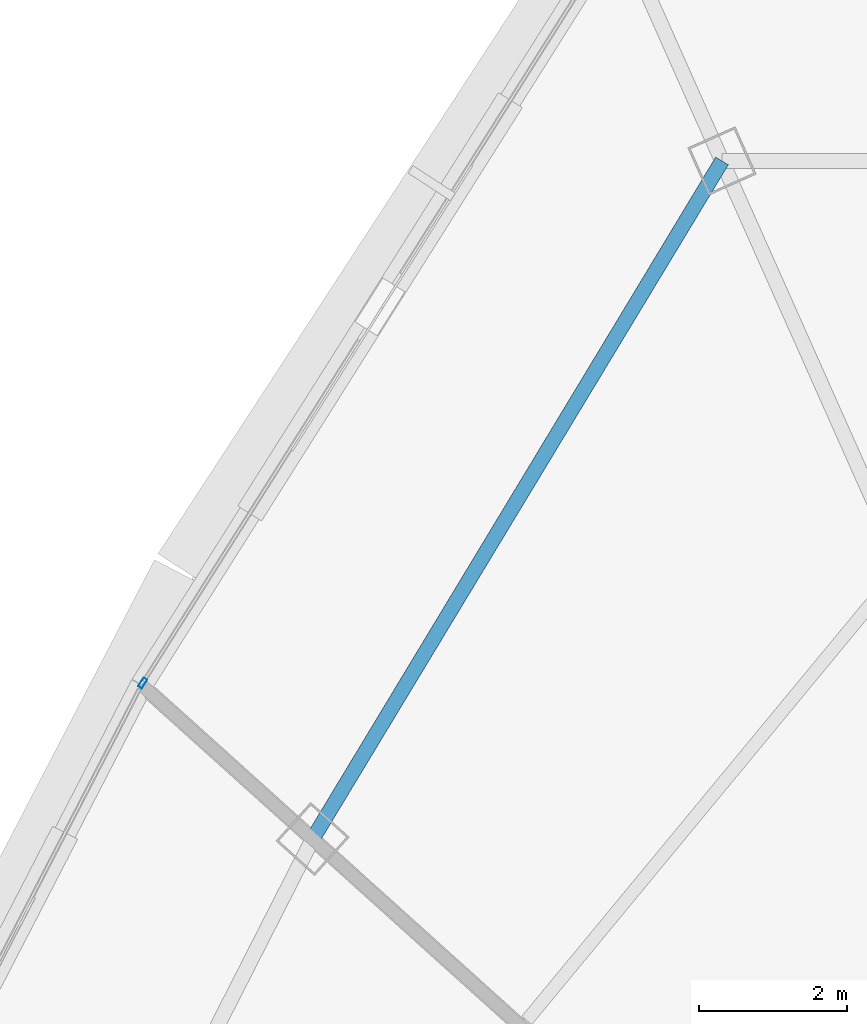
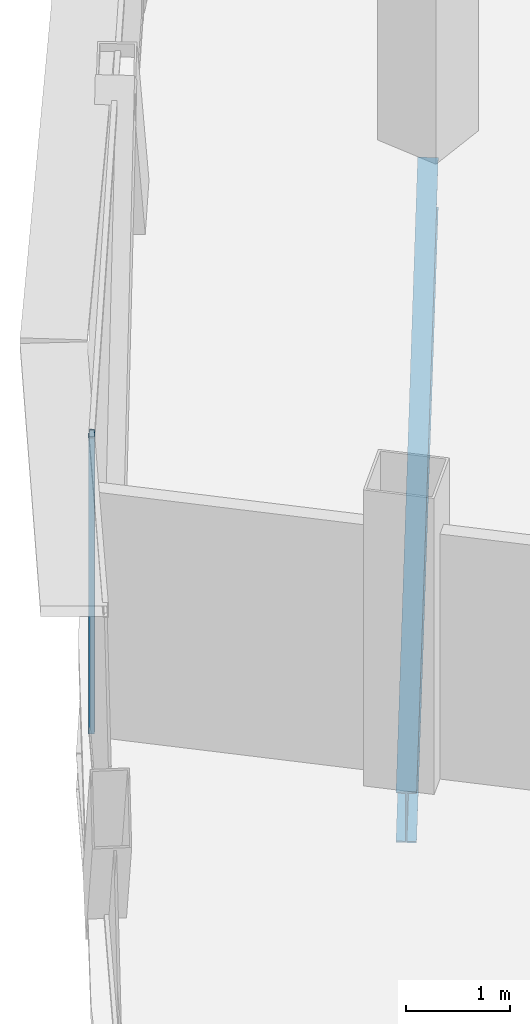
# One storey, part 9 of 26: 1 beam, 1 member, 1 element without a shape of its own.
"""IFC4 building model written with IfcOpenShell, lengths in metres."""

from ifc_helpers import new_model, si_unit, direction, frame, origin, origin_2d, place, context, subcontext, project, spatial, hollow_rectangle, i_section, extrude, source, transform, mapped, material, layer, layer_set, material_profile, profile_set, type_object, element, aggregate, save


model = new_model("IFC4")

# Units and contexts
model_context = context("Model", 3, precision=1e-05, world=origin(), true_north=direction((0.0, 1.0)))
body_context = subcontext(model_context, "Body", "Model", "MODEL_VIEW")
ifc_project = project(units=[si_unit("LENGTHUNIT", "METRE"), si_unit("AREAUNIT", "SQUARE_METRE"), si_unit("VOLUMEUNIT", "CUBIC_METRE"), si_unit("PLANEANGLEUNIT", "RADIAN"), si_unit("MASSUNIT", "GRAM", prefix="KILO"), si_unit("THERMODYNAMICTEMPERATUREUNIT", "KELVIN"), si_unit("POWERUNIT", "WATT")], contexts=[model_context])

# Site, building, storey
site_placement = place(None, origin())
site = spatial("IfcSite", under=ifc_project, at=site_placement, CompositionType="ELEMENT")
building_placement = place(site_placement, origin())
building = spatial("IfcBuilding", under=site, at=building_placement, Name="Yunzhuo Pagoda Commons", CompositionType="ELEMENT")
storey_placement = place(building_placement, frame((0.0, 0.0, 340.510009765625)))
storey = spatial("IfcBuildingStorey", under=building, at=storey_placement, Name="L85", CompositionType="ELEMENT", Elevation=340.510009765625)

# Beam
ifc_material_1 = material(Name="Structural steel Q355B", Category="steel")
ifc_material_profile_1 = material_profile(ifc_material_1, i_section(OverallWidth=0.199951171875, OverallDepth=0.60009765625, WebThickness=0.010986328125, FlangeThickness=0.01708984375, at=origin_2d()), Name="Structural steel Q355B")
ifc_profile_set_1 = profile_set([ifc_material_profile_1], Name="Structural steel Q355B")
beam_type = type_object("IfcBeamType", Name="B-RG3 Beam HN 600x200x11x17", PredefinedType="BEAM", material=ifc_profile_set_1)
shared_shape_1 = source(origin(), body_context, "Body", "SweptSolid", [
    extrude(i_section(OverallWidth=0.199951171875, OverallDepth=0.60009765625, WebThickness=0.010986328125, FlangeThickness=0.01708984375, at=origin_2d()), origin(), (0.0, 0.0, 1.0), 10.691162109375),
])
beam_placement = place(storey_placement, frame((37.501220703125, 57.281005859375, -0.56005859375), z_axis=(-0.516864678433, -0.856067114301, 0.0), x_axis=(0.856067114301, -0.516864678433, 0.0)))
element("IfcBeam", 1, at=beam_placement, inside=storey, type_object=beam_type, Name="L85 column-ring beam 9", PredefinedType="BEAM", context=body_context, shape_type="MappedRepresentation", body=[
    mapped(shared_shape_1, transform((0.0, 0.0, 0.0), scale=1.0)),
])

# Curtain wall, member
ifc_material_2 = material(Name="Anodized aluminium 6063-T6", Category="aluminium")
ifc_layer = layer(ifc_material_2, 0.139892578125)
ifc_layer_set = layer_set([ifc_layer], Name="Anodized aluminium 6063-T6")
curtain_wall_type = type_object("IfcCurtainWallType", Name="CW-HI High-Zone Ribbon Curtain Wall", PredefinedType="NOTDEFINED", material=ifc_layer_set)
curtain_wall_placement = place(storey_placement, origin())
curtain_wall = element("IfcCurtainWall", 2, at=curtain_wall_placement, inside=storey, type_object=curtain_wall_type, Name="L85 curtain wall CW-L85-F3B2", PredefinedType="NOTDEFINED")
ifc_material_profile_2 = material_profile(ifc_material_2, hollow_rectangle(XDim=0.06005859375, YDim=0.139892578125, WallThickness=0.00341796875, at=origin_2d()), Name="Anodized aluminium 6063-T6")
ifc_profile_set_2 = profile_set([ifc_material_profile_2], Name="Anodized aluminium 6063-T6")
member_type = type_object("IfcMemberType", Name="CW-HI-M Mullion RHS 140x60x3.5", PredefinedType="MULLION", material=ifc_profile_set_2)
shared_shape_2 = source(origin(), body_context, "Body", "SweptSolid", [
    extrude(hollow_rectangle(XDim=0.06005859375, YDim=0.139892578125, WallThickness=0.00341796875, at=origin_2d()), origin(), (0.0, 0.0, 1.0), 3.489990234375),
])
member_placement = place(storey_placement, frame((29.681884765625, 50.2333984375, 0.0), z_axis=(0.0, 0.0, 1.0), x_axis=(0.845817518552, -0.533472328532, 0.0)))
member = element("IfcMember", 3, at=member_placement, type_object=member_type, Name="CW mullion 2", PredefinedType="MULLION", context=body_context, shape_type="MappedRepresentation", body=[
    mapped(shared_shape_2, transform((0.0, 0.0, 0.0), scale=1.0)),
])
aggregate(curtain_wall, [member])

save(model, "model.ifc")
